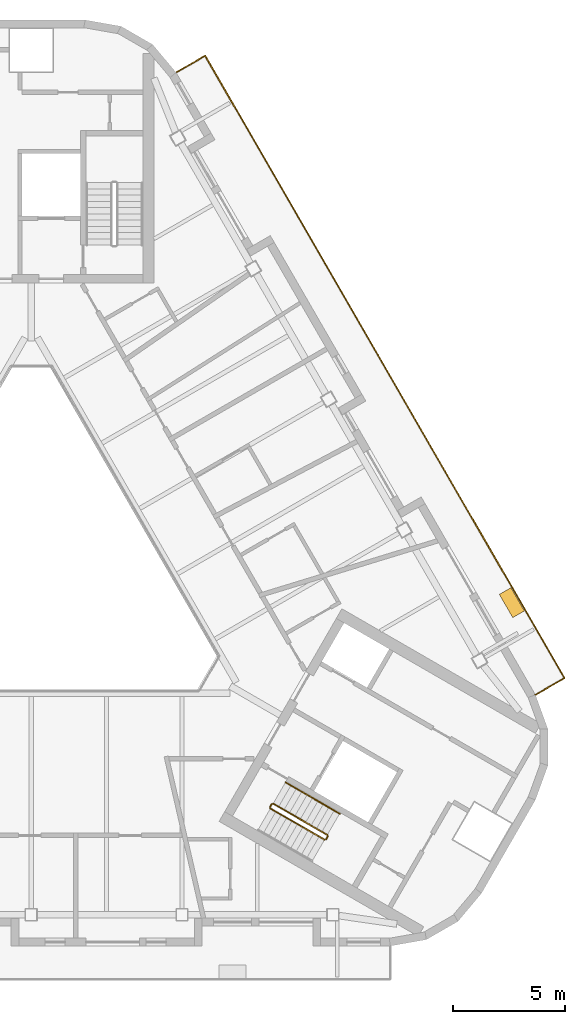
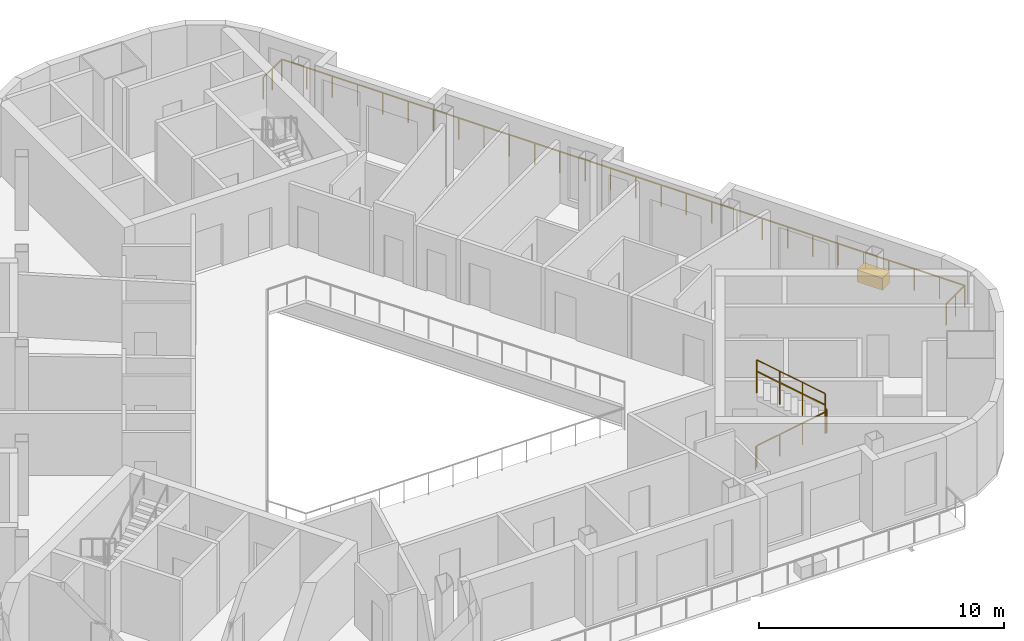
# One storey, part 11 of 12: 6 railings, 1 covering.
"""IFC4 building model written with IfcOpenShell, lengths in metres."""

from ifc_helpers import new_model, si_unit, direction, frame, origin, origin_2d, place, context, subcontext, project, spatial, rectangle, circle, extrude, material, type_object, element, save


model = new_model("IFC4")

# Units and contexts
model_context = context("Model", 3, precision=1e-05, world=origin(), true_north=direction((0.0, 1.0)))
body_context = subcontext(model_context, "Body", "Model", "MODEL_VIEW")
ifc_project = project(units=[si_unit("LENGTHUNIT", "METRE"), si_unit("AREAUNIT", "SQUARE_METRE"), si_unit("VOLUMEUNIT", "CUBIC_METRE"), si_unit("PLANEANGLEUNIT", "RADIAN"), si_unit("MASSUNIT", "GRAM", prefix="KILO")], contexts=[model_context])

# Site, building, storey
site_placement = place(None, origin())
site = spatial("IfcSite", under=ifc_project, at=site_placement, CompositionType="ELEMENT")
building_placement = place(site_placement, origin())
building = spatial("IfcBuilding", under=site, at=building_placement, Name="Apuvela Tower Hotel", CompositionType="ELEMENT")
storey_placement = place(building_placement, frame((0.0, 0.0, 305.89990234375)))
storey = spatial("IfcBuildingStorey", under=building, at=storey_placement, Name="L76", CompositionType="ELEMENT", Elevation=305.89990234375)

# Railings
ifc_material_1 = material(Name="Steel S275 balustrade", Category="steel")
railing_type_1 = type_object("IfcRailingType", Name="COR-GUARD-1100", PredefinedType="GUARDRAIL", material=ifc_material_1)
railing_1_placement = place(storey_placement, frame((10.718994140625, -10.63427734375, 0.168212890625)))
element("IfcRailing", 1, at=railing_1_placement, inside=storey, type_object=railing_type_1, Name="L76 ST3 stair guard 1", PredefinedType="GUARDRAIL", context=body_context, shape_type="SweptSolid", body=[
    extrude(rectangle(XDim=0.048095703125, YDim=0.048095703125, at=origin_2d()), frame((0.0, 0.0, 1.076171875), z_axis=(0.742390482028, -0.42860119049, 0.514934356695), x_axis=(0.49998411664, 0.866034573852, 0.0)), (0.0, 0.0, 1.0), 3.26611328125),
    extrude(rectangle(XDim=0.0419921875, YDim=0.0419921875, at=origin_2d()), origin(), (0.0, 0.0, 1.0), 1.052001953125),
    extrude(rectangle(XDim=0.0419921875, YDim=0.0419921875, at=origin_2d()), frame((0.808349609375, -0.466552734375, 0.560546875)), (0.0, 0.0, 1.0), 1.052001953125),
    extrude(rectangle(XDim=0.0419921875, YDim=0.0419921875, at=origin_2d()), frame((1.616455078125, -0.933349609375, 1.121337890625)), (0.0, 0.0, 1.0), 1.052001953125),
    extrude(rectangle(XDim=0.0419921875, YDim=0.0419921875, at=origin_2d()), frame((2.4248046875, -1.39990234375, 1.681884765625)), (0.0, 0.0, 1.0), 1.052001953125),
])
railing_2_placement = place(storey_placement, frame((13.212158203125, -12.015869140625, 1.85009765625)))
element("IfcRailing", 2, at=railing_2_placement, inside=storey, type_object=railing_type_1, Name="L76 ST3 stair guard 2", PredefinedType="GUARDRAIL", context=body_context, shape_type="SweptSolid", body=[
    extrude(rectangle(XDim=0.048095703125, YDim=0.048095703125, at=origin_2d()), frame((0.0, 0.0, 1.076171875), z_axis=(0.499816412211, 0.866131372301, 0.0), x_axis=(-0.866131372301, 0.499816412211, 0.0)), (0.0, 0.0, 1.0), 0.14990234375),
    extrude(rectangle(XDim=0.0419921875, YDim=0.0419921875, at=origin_2d()), origin(), (0.0, 0.0, 1.0), 1.052001953125),
    extrude(rectangle(XDim=0.0419921875, YDim=0.0419921875, at=origin_2d()), frame((0.074951171875, 0.1298828125, 0.0)), (0.0, 0.0, 1.0), 1.052001953125),
])
railing_3_placement = place(storey_placement, frame((13.268798828125, -11.817626953125, 2.018310546875)))
element("IfcRailing", 3, at=railing_3_placement, inside=storey, type_object=railing_type_1, Name="L76 ST3 stair guard 3", PredefinedType="GUARDRAIL", context=body_context, shape_type="SweptSolid", body=[
    extrude(rectangle(XDim=0.048095703125, YDim=0.048095703125, at=origin_2d()), frame((0.0, 0.0, 1.076171875), z_axis=(-0.742390482028, 0.42860119049, 0.514934356695), x_axis=(-0.49998411664, -0.866034573852, 0.0)), (0.0, 0.0, 1.0), 3.26611328125),
    extrude(rectangle(XDim=0.0419921875, YDim=0.0419921875, at=origin_2d()), origin(), (0.0, 0.0, 1.0), 1.052001953125),
    extrude(rectangle(XDim=0.0419921875, YDim=0.0419921875, at=origin_2d()), frame((-0.808349609375, 0.466552734375, 0.560546875)), (0.0, 0.0, 1.0), 1.052001953125),
    extrude(rectangle(XDim=0.0419921875, YDim=0.0419921875, at=origin_2d()), frame((-1.616455078125, 0.933349609375, 1.121337890625)), (0.0, 0.0, 1.0), 1.052001953125),
    extrude(rectangle(XDim=0.0419921875, YDim=0.0419921875, at=origin_2d()), frame((-2.4248046875, 1.39990234375, 1.681884765625)), (0.0, 0.0, 1.0), 1.052001953125),
])
railing_4_placement = place(storey_placement, frame((10.70068359375, -10.56591796875, 0.0)))
element("IfcRailing", 4, at=railing_4_placement, inside=storey, type_object=railing_type_1, Name="L76 ST3 stair guard 4", PredefinedType="GUARDRAIL", context=body_context, shape_type="SweptSolid", body=[
    extrude(rectangle(XDim=0.048095703125, YDim=0.048095703125, at=origin_2d()), frame((0.0, 0.0, 1.076171875), z_axis=(0.499816412211, 0.866131372301, 0.0), x_axis=(-0.866131372301, 0.499816412211, 0.0)), (0.0, 0.0, 1.0), 0.14990234375),
    extrude(rectangle(XDim=0.0419921875, YDim=0.0419921875, at=origin_2d()), origin(), (0.0, 0.0, 1.0), 1.052001953125),
    extrude(rectangle(XDim=0.0419921875, YDim=0.0419921875, at=origin_2d()), frame((0.074951171875, 0.1298828125, 0.0)), (0.0, 0.0, 1.0), 1.052001953125),
])
ifc_material_2 = material(Name="Stainless steel 316 handrail", Category="steel")
railing_type_2 = type_object("IfcRailingType", Name="COR-HANDRAIL-900", PredefinedType="HANDRAIL", material=ifc_material_2)
railing_5_placement = place(storey_placement, frame((13.81884765625, -10.864990234375, 2.018310546875)))
element("IfcRailing", 5, at=railing_5_placement, inside=storey, type_object=railing_type_2, Name="L76 ST3 stair handrail 2", PredefinedType="HANDRAIL", context=body_context, shape_type="SweptSolid", body=[
    extrude(circle(Radius=0.02392578125, at=origin_2d()), frame((0.0, 0.0, 0.8759765625), z_axis=(-0.742390482028, 0.42860119049, 0.514934356695), x_axis=(-0.49998411664, -0.866034573852, 0.0)), (0.0, 0.0, 1.0), 3.26611328125),
    extrude(rectangle(XDim=0.0419921875, YDim=0.0419921875, at=origin_2d()), origin(), (0.0, 0.0, 1.0), 0.851806640625),
    extrude(rectangle(XDim=0.0419921875, YDim=0.0419921875, at=origin_2d()), frame((-0.808349609375, 0.466552734375, 0.560546875)), (0.0, 0.0, 1.0), 0.851806640625),
    extrude(rectangle(XDim=0.0419921875, YDim=0.0419921875, at=origin_2d()), frame((-1.616455078125, 0.933349609375, 1.121337890625)), (0.0, 0.0, 1.0), 0.851806640625),
    extrude(rectangle(XDim=0.0419921875, YDim=0.0419921875, at=origin_2d()), frame((-2.4248046875, 1.39990234375, 1.681884765625)), (0.0, 0.0, 1.0), 0.851806640625),
])
ifc_material_3 = material(Name="Stainless steel 316 rail with laminated glass infill", Category="steel")
railing_type_3 = type_object("IfcRailingType", Name="ENV-GUARD-1100", PredefinedType="GUARDRAIL", material=ifc_material_3)
railing_6_placement = place(storey_placement, frame((22.593505859375, -5.5439453125, 0.0)))
element("IfcRailing", 6, at=railing_6_placement, inside=storey, type_object=railing_type_3, Name="Balcony guard NE L76", PredefinedType="GUARDRAIL", context=body_context, shape_type="SweptSolid", body=[
    extrude(rectangle(XDim=0.050048828125, YDim=0.050048828125, at=origin_2d()), frame((0.0, 0.0, 1.0751953125), z_axis=(0.866031096941, 0.499990139034, 0.0), x_axis=(-0.499990139034, 0.866031096941, 0.0)), (0.0, 0.0, 1.0), 1.5),
    extrude(rectangle(XDim=0.050048828125, YDim=0.050048828125, at=origin_2d()), frame((1.299072265625, 0.75, 1.0751953125), z_axis=(-0.500003172353, 0.866023572218, 0.0), x_axis=(-0.866023572218, -0.500003172353, 0.0)), (0.0, 0.0, 1.0), 32.196044921875),
    extrude(rectangle(XDim=0.050048828125, YDim=0.050048828125, at=origin_2d()), frame((-14.799072265625, 28.632568359375, 1.0751953125), z_axis=(-0.86599040064, -0.500060622324, 0.0), x_axis=(0.500060622324, -0.86599040064, 0.0)), (0.0, 0.0, 1.0), 1.499755859375),
    extrude(rectangle(XDim=0.0400390625, YDim=0.0400390625, at=origin_2d()), origin(), (0.0, 0.0, 1.0), 1.050048828125),
    extrude(rectangle(XDim=0.0400390625, YDim=0.0400390625, at=origin_2d()), frame((0.6494140625, 0.375, 0.0)), (0.0, 0.0, 1.0), 1.050048828125),
    extrude(rectangle(XDim=0.0400390625, YDim=0.0400390625, at=origin_2d()), frame((1.299072265625, 0.75, 0.0)), (0.0, 0.0, 1.0), 1.050048828125),
    extrude(rectangle(XDim=0.0400390625, YDim=0.0400390625, at=origin_2d()), frame((0.702880859375, 1.78271484375, 0.0)), (0.0, 0.0, 1.0), 1.050048828125),
    extrude(rectangle(XDim=0.0400390625, YDim=0.0400390625, at=origin_2d()), frame((0.106689453125, 2.8154296875, 0.0)), (0.0, 0.0, 1.0), 1.050048828125),
    extrude(rectangle(XDim=0.0400390625, YDim=0.0400390625, at=origin_2d()), frame((-0.489501953125, 3.84814453125, 0.0)), (0.0, 0.0, 1.0), 1.050048828125),
    extrude(rectangle(XDim=0.0400390625, YDim=0.0400390625, at=origin_2d()), frame((-1.0859375, 4.880859375, 0.0)), (0.0, 0.0, 1.0), 1.050048828125),
    extrude(rectangle(XDim=0.0400390625, YDim=0.0400390625, at=origin_2d()), frame((-1.68212890625, 5.913330078125, 0.0)), (0.0, 0.0, 1.0), 1.050048828125),
    extrude(rectangle(XDim=0.0400390625, YDim=0.0400390625, at=origin_2d()), frame((-2.2783203125, 6.946044921875, 0.0)), (0.0, 0.0, 1.0), 1.050048828125),
    extrude(rectangle(XDim=0.0400390625, YDim=0.0400390625, at=origin_2d()), frame((-2.87451171875, 7.978759765625, 0.0)), (0.0, 0.0, 1.0), 1.050048828125),
    extrude(rectangle(XDim=0.0400390625, YDim=0.0400390625, at=origin_2d()), frame((-3.470703125, 9.011474609375, 0.0)), (0.0, 0.0, 1.0), 1.050048828125),
    extrude(rectangle(XDim=0.0400390625, YDim=0.0400390625, at=origin_2d()), frame((-4.06689453125, 10.044189453125, 0.0)), (0.0, 0.0, 1.0), 1.050048828125),
    extrude(rectangle(XDim=0.0400390625, YDim=0.0400390625, at=origin_2d()), frame((-4.6630859375, 11.076904296875, 0.0)), (0.0, 0.0, 1.0), 1.050048828125),
    extrude(rectangle(XDim=0.0400390625, YDim=0.0400390625, at=origin_2d()), frame((-5.259521484375, 12.109619140625, 0.0)), (0.0, 0.0, 1.0), 1.050048828125),
    extrude(rectangle(XDim=0.0400390625, YDim=0.0400390625, at=origin_2d()), frame((-5.855712890625, 13.142333984375, 0.0)), (0.0, 0.0, 1.0), 1.050048828125),
    extrude(rectangle(XDim=0.0400390625, YDim=0.0400390625, at=origin_2d()), frame((-6.451904296875, 14.175048828125, 0.0)), (0.0, 0.0, 1.0), 1.050048828125),
    extrude(rectangle(XDim=0.0400390625, YDim=0.0400390625, at=origin_2d()), frame((-7.048095703125, 15.20751953125, 0.0)), (0.0, 0.0, 1.0), 1.050048828125),
    extrude(rectangle(XDim=0.0400390625, YDim=0.0400390625, at=origin_2d()), frame((-7.644287109375, 16.240234375, 0.0)), (0.0, 0.0, 1.0), 1.050048828125),
    extrude(rectangle(XDim=0.0400390625, YDim=0.0400390625, at=origin_2d()), frame((-8.240478515625, 17.27294921875, 0.0)), (0.0, 0.0, 1.0), 1.050048828125),
    extrude(rectangle(XDim=0.0400390625, YDim=0.0400390625, at=origin_2d()), frame((-8.8369140625, 18.3056640625, 0.0)), (0.0, 0.0, 1.0), 1.050048828125),
    extrude(rectangle(XDim=0.0400390625, YDim=0.0400390625, at=origin_2d()), frame((-9.43310546875, 19.33837890625, 0.0)), (0.0, 0.0, 1.0), 1.050048828125),
    extrude(rectangle(XDim=0.0400390625, YDim=0.0400390625, at=origin_2d()), frame((-10.029296875, 20.37109375, 0.0)), (0.0, 0.0, 1.0), 1.050048828125),
    extrude(rectangle(XDim=0.0400390625, YDim=0.0400390625, at=origin_2d()), frame((-10.62548828125, 21.40380859375, 0.0)), (0.0, 0.0, 1.0), 1.050048828125),
    extrude(rectangle(XDim=0.0400390625, YDim=0.0400390625, at=origin_2d()), frame((-11.2216796875, 22.4365234375, 0.0)), (0.0, 0.0, 1.0), 1.050048828125),
    extrude(rectangle(XDim=0.0400390625, YDim=0.0400390625, at=origin_2d()), frame((-11.81787109375, 23.46923828125, 0.0)), (0.0, 0.0, 1.0), 1.050048828125),
    extrude(rectangle(XDim=0.0400390625, YDim=0.0400390625, at=origin_2d()), frame((-12.4140625, 24.501708984375, 0.0)), (0.0, 0.0, 1.0), 1.050048828125),
    extrude(rectangle(XDim=0.0400390625, YDim=0.0400390625, at=origin_2d()), frame((-13.010498046875, 25.534423828125, 0.0)), (0.0, 0.0, 1.0), 1.050048828125),
    extrude(rectangle(XDim=0.0400390625, YDim=0.0400390625, at=origin_2d()), frame((-13.606689453125, 26.567138671875, 0.0)), (0.0, 0.0, 1.0), 1.050048828125),
    extrude(rectangle(XDim=0.0400390625, YDim=0.0400390625, at=origin_2d()), frame((-14.202880859375, 27.599853515625, 0.0)), (0.0, 0.0, 1.0), 1.050048828125),
    extrude(rectangle(XDim=0.0400390625, YDim=0.0400390625, at=origin_2d()), frame((-14.799072265625, 28.632568359375, 0.0)), (0.0, 0.0, 1.0), 1.050048828125),
    extrude(rectangle(XDim=0.0400390625, YDim=0.0400390625, at=origin_2d()), frame((-15.448486328125, 28.257568359375, 0.0)), (0.0, 0.0, 1.0), 1.050048828125),
    extrude(rectangle(XDim=0.0400390625, YDim=0.0400390625, at=origin_2d()), frame((-16.097900390625, 27.882568359375, 0.0)), (0.0, 0.0, 1.0), 1.050048828125),
])

# Covering
ifc_material_4 = material(Name="Planting substrate and soil, planted")
covering_type = type_object("IfcCoveringType", Name="ENV-PLANTER-1200x600", PredefinedType="USERDEFINED", material=ifc_material_4)
covering_placement = place(storey_placement, frame((21.536865234375, -1.413818359375, 0.0), z_axis=(0.0, 0.0, 1.0), x_axis=(-0.5, 0.866025403784, 0.0)))
element("IfcCovering", 7, at=covering_placement, inside=storey, type_object=covering_type, Name="Planter NE3", ObjectType="PLANTER", PredefinedType="USERDEFINED", context=body_context, shape_type="SweptSolid", body=[
    extrude(rectangle(XDim=1.199951171875, YDim=0.60009765625, at=origin_2d()), origin(), (0.0, 0.0, 1.0), 0.60009765625),
])

save(model, "model.ifc")
